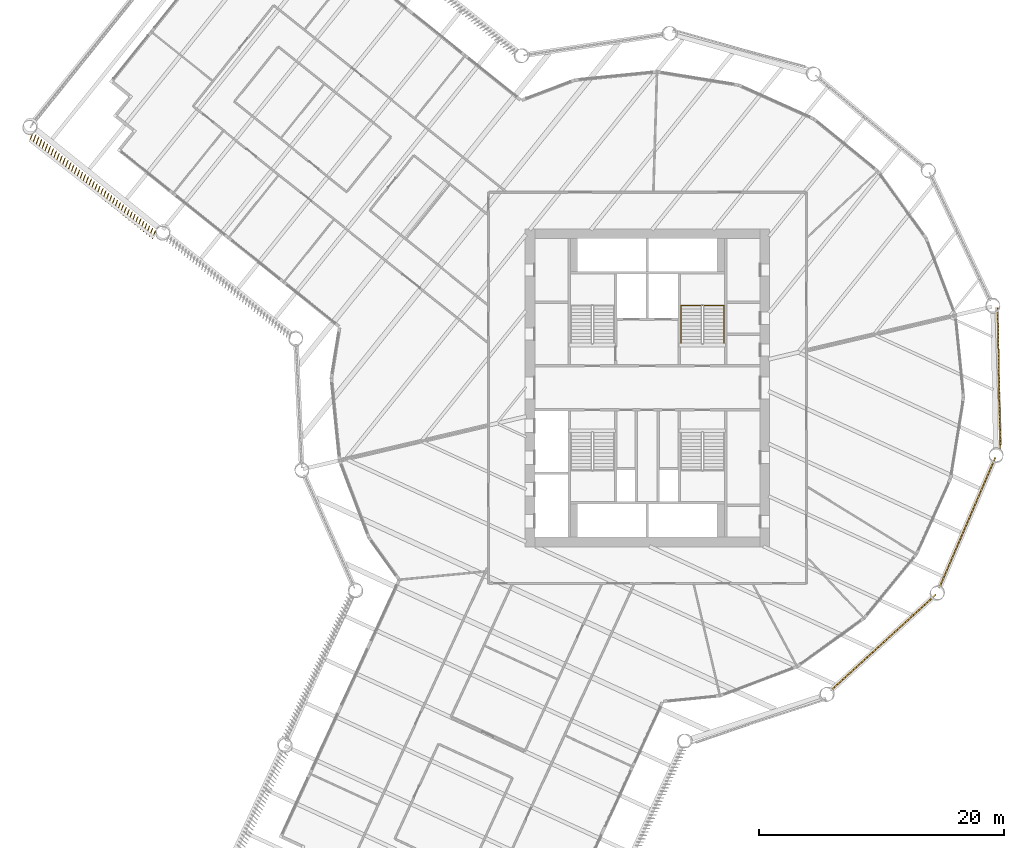
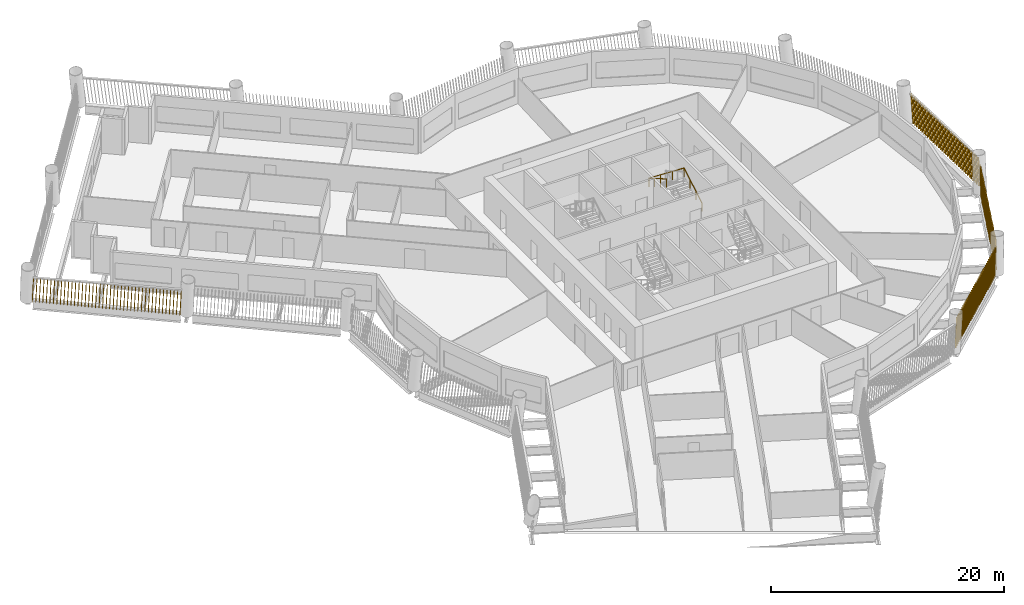
# One storey, part 13 of 16: 4 shading devices, 1 railing.
"""IFC4 building model written with IfcOpenShell, lengths in metres."""

from ifc_helpers import new_model, si_unit, direction, frame, frame_2d, origin, origin_2d, place, context, subcontext, project, spatial, rectangle, circle, composite_profile, extrude, material, type_object, element, save


model = new_model("IFC4")

# Units and contexts
model_context = context("Model", 3, precision=1e-05, world=origin(), true_north=direction((0.0, 1.0)))
body_context = subcontext(model_context, "Body", "Model", "MODEL_VIEW")
ifc_project = project(units=[si_unit("LENGTHUNIT", "METRE"), si_unit("AREAUNIT", "SQUARE_METRE"), si_unit("VOLUMEUNIT", "CUBIC_METRE"), si_unit("PLANEANGLEUNIT", "RADIAN"), si_unit("MASSUNIT", "GRAM", prefix="KILO")], contexts=[model_context])

# Site, building, storey
site_placement = place(None, origin())
site = spatial("IfcSite", under=ifc_project, at=site_placement, CompositionType="ELEMENT")
building_placement = place(site_placement, origin())
building = spatial("IfcBuilding", under=site, at=building_placement, Name="Tarsis Ring Headquarters", CompositionType="ELEMENT")
storey_placement = place(building_placement, frame((0.0, 0.0, 112.300048828125)))
storey = spatial("IfcBuildingStorey", under=building, at=storey_placement, Name="L25", CompositionType="ELEMENT", Elevation=112.300048828125)

# Railing
ifc_material_1 = material(Name="Steel S355", Category="steel")
railing_type = type_object("IfcRailingType", Name="Core stair handrail 900", PredefinedType="HANDRAIL", material=ifc_material_1)
railing_placement = place(storey_placement, frame((6.25, 3.659912109375, 0.162353515625)))
element("IfcRailing", 1, at=railing_placement, inside=storey, type_object=railing_type, Name="L25 ST2 stair handrail 1", PredefinedType="HANDRAIL", context=body_context, shape_type="SweptSolid", body=[
    extrude(circle(Radius=0.02392578125, at=origin_2d()), frame((0.0, 0.0, 0.8759765625), z_axis=(0.0, 0.864890721111, 0.501960198159), x_axis=(-1.0, 0.0, 0.0)), (0.0, 0.0, 1.0), 3.561279296875),
    extrude(circle(Radius=0.02392578125, at=origin_2d()), frame((0.0, 3.080078125, 2.66357421875), z_axis=(-0.998922641604, 0.0, 0.046406422943), x_axis=(0.0, -1.0, 0.0)), (0.0, 0.0, 1.0), 3.503662109375),
    extrude(circle(Radius=0.02392578125, at=origin_2d()), frame((-3.5, 3.080078125, 2.826171875), z_axis=(0.0, -0.864920483161, 0.501908913857), x_axis=(1.0, 0.0, 0.0)), (0.0, 0.0, 1.0), 3.56103515625),
    extrude(circle(Radius=0.02099609375, at=origin_2d()), origin(), (0.0, 0.0, 1.0), 0.851806640625),
    extrude(circle(Radius=0.02099609375, at=origin_2d()), frame((0.0, 1.026611328125, 0.595947265625)), (0.0, 0.0, 1.0), 0.851806640625),
    extrude(circle(Radius=0.02099609375, at=origin_2d()), frame((0.0, 2.053466796875, 1.191650390625)), (0.0, 0.0, 1.0), 0.851806640625),
    extrude(circle(Radius=0.02099609375, at=origin_2d()), frame((0.0, 3.080078125, 1.78759765625)), (0.0, 0.0, 1.0), 0.851806640625),
    extrude(circle(Radius=0.02099609375, at=origin_2d()), frame((-1.166748046875, 3.080078125, 1.841796875)), (0.0, 0.0, 1.0), 0.851806640625),
    extrude(circle(Radius=0.02099609375, at=origin_2d()), frame((-2.333251953125, 3.080078125, 1.89599609375)), (0.0, 0.0, 1.0), 0.851806640625),
    extrude(circle(Radius=0.02099609375, at=origin_2d()), frame((-3.5, 3.080078125, 1.9501953125)), (0.0, 0.0, 1.0), 0.851806640625),
    extrude(circle(Radius=0.02099609375, at=origin_2d()), frame((-3.5, 2.053466796875, 2.5458984375)), (0.0, 0.0, 1.0), 0.851806640625),
    extrude(circle(Radius=0.02099609375, at=origin_2d()), frame((-3.5, 1.026611328125, 3.141845703125)), (0.0, 0.0, 1.0), 0.851806640625),
    extrude(circle(Radius=0.02099609375, at=origin_2d()), frame((-3.5, 0.0, 3.737548828125)), (0.0, 0.0, 1.0), 0.851806640625),
])

# Shading devices
ifc_material_2 = material(Name="Terracotta baguette", Category="masonry")
shading_device_type = type_object("IfcShadingDeviceType", Name="Terracotta baguette screen", PredefinedType="USERDEFINED", material=ifc_material_2)
shading_device_1_placement = place(storey_placement, frame((14.995361328125, -24.760498046875, 0.0), z_axis=(0.0, 0.0, 1.0), x_axis=(0.738410452296, 0.674342390833, 0.0)))
element("IfcShadingDevice", 2, at=shading_device_1_placement, inside=storey, type_object=shading_device_type, Name="Baguette screen L25-08", ObjectType="Terracotta baguette screen", PredefinedType="USERDEFINED", context=body_context, shape_type="SweptSolid", body=[
    extrude(composite_profile([rectangle(XDim=0.06005859375, YDim=0.1201171875, at=frame_2d((0.030029296875, 0.0))), rectangle(XDim=0.06005859375, YDim=0.1201171875, at=frame_2d((0.33251953125, 0.0))), rectangle(XDim=0.06005859375, YDim=0.1201171875, at=frame_2d((0.634765625, 0.0))), rectangle(XDim=0.06005859375, YDim=0.1201171875, at=frame_2d((0.937255859375, 0.0))), rectangle(XDim=0.06005859375, YDim=0.1201171875, at=frame_2d((1.239501953125, 0.0))), rectangle(XDim=0.06005859375, YDim=0.1201171875, at=frame_2d((1.5419921875, 0.0))), rectangle(XDim=0.06005859375, YDim=0.1201171875, at=frame_2d((1.844482421875, 0.0))), rectangle(XDim=0.06005859375, YDim=0.1201171875, at=frame_2d((2.146728515625, 0.0))), rectangle(XDim=0.06005859375, YDim=0.1201171875, at=frame_2d((2.44921875, 0.0))), rectangle(XDim=0.06005859375, YDim=0.1201171875, at=frame_2d((2.751708984375, 0.0))), rectangle(XDim=0.06005859375, YDim=0.1201171875, at=frame_2d((3.053955078125, 0.0))), rectangle(XDim=0.06005859375, YDim=0.1201171875, at=frame_2d((3.3564453125, 0.0))), rectangle(XDim=0.06005859375, YDim=0.1201171875, at=frame_2d((3.65869140625, 0.0))), rectangle(XDim=0.06005859375, YDim=0.1201171875, at=frame_2d((3.961181640625, 0.0))), rectangle(XDim=0.06005859375, YDim=0.1201171875, at=frame_2d((4.263671875, 0.0))), rectangle(XDim=0.06005859375, YDim=0.1201171875, at=frame_2d((4.56591796875, 0.0))), rectangle(XDim=0.06005859375, YDim=0.1201171875, at=frame_2d((4.868408203125, 0.0))), rectangle(XDim=0.06005859375, YDim=0.1201171875, at=frame_2d((5.1708984375, 0.0))), rectangle(XDim=0.06005859375, YDim=0.1201171875, at=frame_2d((5.47314453125, 0.0))), rectangle(XDim=0.06005859375, YDim=0.1201171875, at=frame_2d((5.775634765625, 0.0))), rectangle(XDim=0.06005859375, YDim=0.1201171875, at=frame_2d((6.077880859375, 0.0))), rectangle(XDim=0.06005859375, YDim=0.1201171875, at=frame_2d((6.38037109375, 0.0))), rectangle(XDim=0.06005859375, YDim=0.1201171875, at=frame_2d((6.682861328125, 0.0))), rectangle(XDim=0.06005859375, YDim=0.1201171875, at=frame_2d((6.985107421875, 0.0))), rectangle(XDim=0.06005859375, YDim=0.1201171875, at=frame_2d((7.28759765625, 0.0))), rectangle(XDim=0.06005859375, YDim=0.1201171875, at=frame_2d((7.590087890625, 0.0))), rectangle(XDim=0.06005859375, YDim=0.1201171875, at=frame_2d((7.892333984375, 0.0))), rectangle(XDim=0.06005859375, YDim=0.1201171875, at=frame_2d((8.19482421875, 0.0))), rectangle(XDim=0.06005859375, YDim=0.1201171875, at=frame_2d((8.4970703125, 0.0))), rectangle(XDim=0.06005859375, YDim=0.1201171875, at=frame_2d((8.799560546875, 0.0))), rectangle(XDim=0.06005859375, YDim=0.1201171875, at=frame_2d((9.10205078125, 0.0))), rectangle(XDim=0.06005859375, YDim=0.1201171875, at=frame_2d((9.404296875, 0.0))), rectangle(XDim=0.06005859375, YDim=0.1201171875, at=frame_2d((9.706787109375, 0.0))), rectangle(XDim=0.06005859375, YDim=0.1201171875, at=frame_2d((10.00927734375, 0.0))), rectangle(XDim=0.06005859375, YDim=0.1201171875, at=frame_2d((10.3115234375, 0.0))), rectangle(XDim=0.06005859375, YDim=0.1201171875, at=frame_2d((10.614013671875, 0.0))), rectangle(XDim=0.06005859375, YDim=0.1201171875, at=frame_2d((10.916259765625, 0.0))), rectangle(XDim=0.06005859375, YDim=0.1201171875, at=frame_2d((11.21875, 0.0)))]), origin(), (0.129809123661, 0.000884434435, 0.991538607009), 2.977783203125),
])
shading_device_2_placement = place(storey_placement, frame((23.868408203125, -16.378173828125, 0.0), z_axis=(0.0, 0.0, 1.0), x_axis=(0.394791101465, 0.918762886598, 0.0)))
element("IfcShadingDevice", 3, at=shading_device_2_placement, inside=storey, type_object=shading_device_type, Name="Baguette screen L25-09", ObjectType="Terracotta baguette screen", PredefinedType="USERDEFINED", context=body_context, shape_type="SweptSolid", body=[
    extrude(composite_profile([rectangle(XDim=0.06005859375, YDim=0.1201171875, at=frame_2d((0.030029296875, 0.0))), rectangle(XDim=0.06005859375, YDim=0.1201171875, at=frame_2d((0.33251953125, 0.0))), rectangle(XDim=0.06005859375, YDim=0.1201171875, at=frame_2d((0.634765625, 0.0))), rectangle(XDim=0.06005859375, YDim=0.1201171875, at=frame_2d((0.937255859375, 0.0))), rectangle(XDim=0.06005859375, YDim=0.1201171875, at=frame_2d((1.239501953125, 0.0))), rectangle(XDim=0.06005859375, YDim=0.1201171875, at=frame_2d((1.5419921875, 0.0))), rectangle(XDim=0.06005859375, YDim=0.1201171875, at=frame_2d((1.844482421875, 0.0))), rectangle(XDim=0.06005859375, YDim=0.1201171875, at=frame_2d((2.146728515625, 0.0))), rectangle(XDim=0.06005859375, YDim=0.1201171875, at=frame_2d((2.44921875, 0.0))), rectangle(XDim=0.06005859375, YDim=0.1201171875, at=frame_2d((2.751708984375, 0.0))), rectangle(XDim=0.06005859375, YDim=0.1201171875, at=frame_2d((3.053955078125, 0.0))), rectangle(XDim=0.06005859375, YDim=0.1201171875, at=frame_2d((3.3564453125, 0.0))), rectangle(XDim=0.06005859375, YDim=0.1201171875, at=frame_2d((3.65869140625, 0.0))), rectangle(XDim=0.06005859375, YDim=0.1201171875, at=frame_2d((3.961181640625, 0.0))), rectangle(XDim=0.06005859375, YDim=0.1201171875, at=frame_2d((4.263671875, 0.0))), rectangle(XDim=0.06005859375, YDim=0.1201171875, at=frame_2d((4.56591796875, 0.0))), rectangle(XDim=0.06005859375, YDim=0.1201171875, at=frame_2d((4.868408203125, 0.0))), rectangle(XDim=0.06005859375, YDim=0.1201171875, at=frame_2d((5.1708984375, 0.0))), rectangle(XDim=0.06005859375, YDim=0.1201171875, at=frame_2d((5.47314453125, 0.0))), rectangle(XDim=0.06005859375, YDim=0.1201171875, at=frame_2d((5.775634765625, 0.0))), rectangle(XDim=0.06005859375, YDim=0.1201171875, at=frame_2d((6.077880859375, 0.0))), rectangle(XDim=0.06005859375, YDim=0.1201171875, at=frame_2d((6.38037109375, 0.0))), rectangle(XDim=0.06005859375, YDim=0.1201171875, at=frame_2d((6.682861328125, 0.0))), rectangle(XDim=0.06005859375, YDim=0.1201171875, at=frame_2d((6.985107421875, 0.0))), rectangle(XDim=0.06005859375, YDim=0.1201171875, at=frame_2d((7.28759765625, 0.0))), rectangle(XDim=0.06005859375, YDim=0.1201171875, at=frame_2d((7.590087890625, 0.0))), rectangle(XDim=0.06005859375, YDim=0.1201171875, at=frame_2d((7.892333984375, 0.0))), rectangle(XDim=0.06005859375, YDim=0.1201171875, at=frame_2d((8.19482421875, 0.0))), rectangle(XDim=0.06005859375, YDim=0.1201171875, at=frame_2d((8.4970703125, 0.0))), rectangle(XDim=0.06005859375, YDim=0.1201171875, at=frame_2d((8.799560546875, 0.0))), rectangle(XDim=0.06005859375, YDim=0.1201171875, at=frame_2d((9.10205078125, 0.0))), rectangle(XDim=0.06005859375, YDim=0.1201171875, at=frame_2d((9.404296875, 0.0))), rectangle(XDim=0.06005859375, YDim=0.1201171875, at=frame_2d((9.706787109375, 0.0))), rectangle(XDim=0.06005859375, YDim=0.1201171875, at=frame_2d((10.00927734375, 0.0))), rectangle(XDim=0.06005859375, YDim=0.1201171875, at=frame_2d((10.3115234375, 0.0))), rectangle(XDim=0.06005859375, YDim=0.1201171875, at=frame_2d((10.614013671875, 0.0))), rectangle(XDim=0.06005859375, YDim=0.1201171875, at=frame_2d((10.916259765625, 0.0))), rectangle(XDim=0.06005859375, YDim=0.1201171875, at=frame_2d((11.21875, 0.0)))]), origin(), (0.12980907974, 0.000882202058, 0.991538614748), 2.977783203125),
])
shading_device_3_placement = place(storey_placement, frame((28.872314453125, -5.07666015625, 0.0), z_axis=(0.0, 0.0, 1.0), x_axis=(-0.019012479653, 0.999826370049, 0.0)))
element("IfcShadingDevice", 4, at=shading_device_3_placement, inside=storey, type_object=shading_device_type, Name="Baguette screen L25-10", ObjectType="Terracotta baguette screen", PredefinedType="USERDEFINED", context=body_context, shape_type="SweptSolid", body=[
    extrude(composite_profile([rectangle(XDim=0.06005859375, YDim=0.1201171875, at=frame_2d((0.030029296875, 0.0))), rectangle(XDim=0.06005859375, YDim=0.1201171875, at=frame_2d((0.33251953125, 0.0))), rectangle(XDim=0.06005859375, YDim=0.1201171875, at=frame_2d((0.634765625, 0.0))), rectangle(XDim=0.06005859375, YDim=0.1201171875, at=frame_2d((0.937255859375, 0.0))), rectangle(XDim=0.06005859375, YDim=0.1201171875, at=frame_2d((1.239501953125, 0.0))), rectangle(XDim=0.06005859375, YDim=0.1201171875, at=frame_2d((1.5419921875, 0.0))), rectangle(XDim=0.06005859375, YDim=0.1201171875, at=frame_2d((1.844482421875, 0.0))), rectangle(XDim=0.06005859375, YDim=0.1201171875, at=frame_2d((2.146728515625, 0.0))), rectangle(XDim=0.06005859375, YDim=0.1201171875, at=frame_2d((2.44921875, 0.0))), rectangle(XDim=0.06005859375, YDim=0.1201171875, at=frame_2d((2.751708984375, 0.0))), rectangle(XDim=0.06005859375, YDim=0.1201171875, at=frame_2d((3.053955078125, 0.0))), rectangle(XDim=0.06005859375, YDim=0.1201171875, at=frame_2d((3.3564453125, 0.0))), rectangle(XDim=0.06005859375, YDim=0.1201171875, at=frame_2d((3.65869140625, 0.0))), rectangle(XDim=0.06005859375, YDim=0.1201171875, at=frame_2d((3.961181640625, 0.0))), rectangle(XDim=0.06005859375, YDim=0.1201171875, at=frame_2d((4.263671875, 0.0))), rectangle(XDim=0.06005859375, YDim=0.1201171875, at=frame_2d((4.56591796875, 0.0))), rectangle(XDim=0.06005859375, YDim=0.1201171875, at=frame_2d((4.868408203125, 0.0))), rectangle(XDim=0.06005859375, YDim=0.1201171875, at=frame_2d((5.1708984375, 0.0))), rectangle(XDim=0.06005859375, YDim=0.1201171875, at=frame_2d((5.47314453125, 0.0))), rectangle(XDim=0.06005859375, YDim=0.1201171875, at=frame_2d((5.775634765625, 0.0))), rectangle(XDim=0.06005859375, YDim=0.1201171875, at=frame_2d((6.077880859375, 0.0))), rectangle(XDim=0.06005859375, YDim=0.1201171875, at=frame_2d((6.38037109375, 0.0))), rectangle(XDim=0.06005859375, YDim=0.1201171875, at=frame_2d((6.682861328125, 0.0))), rectangle(XDim=0.06005859375, YDim=0.1201171875, at=frame_2d((6.985107421875, 0.0))), rectangle(XDim=0.06005859375, YDim=0.1201171875, at=frame_2d((7.28759765625, 0.0))), rectangle(XDim=0.06005859375, YDim=0.1201171875, at=frame_2d((7.590087890625, 0.0))), rectangle(XDim=0.06005859375, YDim=0.1201171875, at=frame_2d((7.892333984375, 0.0))), rectangle(XDim=0.06005859375, YDim=0.1201171875, at=frame_2d((8.19482421875, 0.0))), rectangle(XDim=0.06005859375, YDim=0.1201171875, at=frame_2d((8.4970703125, 0.0))), rectangle(XDim=0.06005859375, YDim=0.1201171875, at=frame_2d((8.799560546875, 0.0))), rectangle(XDim=0.06005859375, YDim=0.1201171875, at=frame_2d((9.10205078125, 0.0))), rectangle(XDim=0.06005859375, YDim=0.1201171875, at=frame_2d((9.404296875, 0.0))), rectangle(XDim=0.06005859375, YDim=0.1201171875, at=frame_2d((9.706787109375, 0.0))), rectangle(XDim=0.06005859375, YDim=0.1201171875, at=frame_2d((10.00927734375, 0.0))), rectangle(XDim=0.06005859375, YDim=0.1201171875, at=frame_2d((10.3115234375, 0.0))), rectangle(XDim=0.06005859375, YDim=0.1201171875, at=frame_2d((10.614013671875, 0.0))), rectangle(XDim=0.06005859375, YDim=0.1201171875, at=frame_2d((10.916259765625, 0.0))), rectangle(XDim=0.06005859375, YDim=0.1201171875, at=frame_2d((11.21875, 0.0)))]), origin(), (0.131495739551, 0.000893796808, 0.991316332765), 2.978515625),
])
shading_device_4_placement = place(storey_placement, frame((-50.2900390625, 20.892333984375, 0.0), z_axis=(0.0, 0.0, 1.0), x_axis=(0.779991674236, -0.625794732062, 0.0)))
element("IfcShadingDevice", 5, at=shading_device_4_placement, inside=storey, type_object=shading_device_type, Name="Baguette screen L25-19", ObjectType="Terracotta baguette screen", PredefinedType="USERDEFINED", context=body_context, shape_type="SweptSolid", body=[
    extrude(composite_profile([rectangle(XDim=0.06005859375, YDim=0.1201171875, at=frame_2d((0.030029296875, 0.0))), rectangle(XDim=0.06005859375, YDim=0.1201171875, at=frame_2d((0.335693359375, 0.0))), rectangle(XDim=0.06005859375, YDim=0.1201171875, at=frame_2d((0.6416015625, 0.0))), rectangle(XDim=0.06005859375, YDim=0.1201171875, at=frame_2d((0.947265625, 0.0))), rectangle(XDim=0.06005859375, YDim=0.1201171875, at=frame_2d((1.253173828125, 0.0))), rectangle(XDim=0.06005859375, YDim=0.1201171875, at=frame_2d((1.558837890625, 0.0))), rectangle(XDim=0.06005859375, YDim=0.1201171875, at=frame_2d((1.864501953125, 0.0))), rectangle(XDim=0.06005859375, YDim=0.1201171875, at=frame_2d((2.17041015625, 0.0))), rectangle(XDim=0.06005859375, YDim=0.1201171875, at=frame_2d((2.47607421875, 0.0))), rectangle(XDim=0.06005859375, YDim=0.1201171875, at=frame_2d((2.781982421875, 0.0))), rectangle(XDim=0.06005859375, YDim=0.1201171875, at=frame_2d((3.087646484375, 0.0))), rectangle(XDim=0.06005859375, YDim=0.1201171875, at=frame_2d((3.393310546875, 0.0))), rectangle(XDim=0.06005859375, YDim=0.1201171875, at=frame_2d((3.69921875, 0.0))), rectangle(XDim=0.06005859375, YDim=0.1201171875, at=frame_2d((4.0048828125, 0.0))), rectangle(XDim=0.06005859375, YDim=0.1201171875, at=frame_2d((4.310791015625, 0.0))), rectangle(XDim=0.06005859375, YDim=0.1201171875, at=frame_2d((4.616455078125, 0.0))), rectangle(XDim=0.06005859375, YDim=0.1201171875, at=frame_2d((4.922119140625, 0.0))), rectangle(XDim=0.06005859375, YDim=0.1201171875, at=frame_2d((5.22802734375, 0.0))), rectangle(XDim=0.06005859375, YDim=0.1201171875, at=frame_2d((5.53369140625, 0.0))), rectangle(XDim=0.06005859375, YDim=0.1201171875, at=frame_2d((5.839599609375, 0.0))), rectangle(XDim=0.06005859375, YDim=0.1201171875, at=frame_2d((6.145263671875, 0.0))), rectangle(XDim=0.06005859375, YDim=0.1201171875, at=frame_2d((6.451171875, 0.0))), rectangle(XDim=0.06005859375, YDim=0.1201171875, at=frame_2d((6.7568359375, 0.0))), rectangle(XDim=0.06005859375, YDim=0.1201171875, at=frame_2d((7.0625, 0.0))), rectangle(XDim=0.06005859375, YDim=0.1201171875, at=frame_2d((7.368408203125, 0.0))), rectangle(XDim=0.06005859375, YDim=0.1201171875, at=frame_2d((7.674072265625, 0.0))), rectangle(XDim=0.06005859375, YDim=0.1201171875, at=frame_2d((7.97998046875, 0.0))), rectangle(XDim=0.06005859375, YDim=0.1201171875, at=frame_2d((8.28564453125, 0.0))), rectangle(XDim=0.06005859375, YDim=0.1201171875, at=frame_2d((8.59130859375, 0.0))), rectangle(XDim=0.06005859375, YDim=0.1201171875, at=frame_2d((8.897216796875, 0.0))), rectangle(XDim=0.06005859375, YDim=0.1201171875, at=frame_2d((9.202880859375, 0.0))), rectangle(XDim=0.06005859375, YDim=0.1201171875, at=frame_2d((9.5087890625, 0.0))), rectangle(XDim=0.06005859375, YDim=0.1201171875, at=frame_2d((9.814453125, 0.0))), rectangle(XDim=0.06005859375, YDim=0.1201171875, at=frame_2d((10.1201171875, 0.0))), rectangle(XDim=0.06005859375, YDim=0.1201171875, at=frame_2d((10.426025390625, 0.0))), rectangle(XDim=0.06005859375, YDim=0.1201171875, at=frame_2d((10.731689453125, 0.0))), rectangle(XDim=0.06005859375, YDim=0.1201171875, at=frame_2d((11.03759765625, 0.0))), rectangle(XDim=0.06005859375, YDim=0.1201171875, at=frame_2d((11.34326171875, 0.0))), rectangle(XDim=0.06005859375, YDim=0.1201171875, at=frame_2d((11.64892578125, 0.0))), rectangle(XDim=0.06005859375, YDim=0.1201171875, at=frame_2d((11.954833984375, 0.0))), rectangle(XDim=0.06005859375, YDim=0.1201171875, at=frame_2d((12.260498046875, 0.0))), rectangle(XDim=0.06005859375, YDim=0.1201171875, at=frame_2d((12.56640625, 0.0))), rectangle(XDim=0.06005859375, YDim=0.1201171875, at=frame_2d((12.8720703125, 0.0)))]), origin(), (0.069698093047, -0.205868468617, 0.97609443675), 3.02490234375),
])

save(model, "model.ifc")
